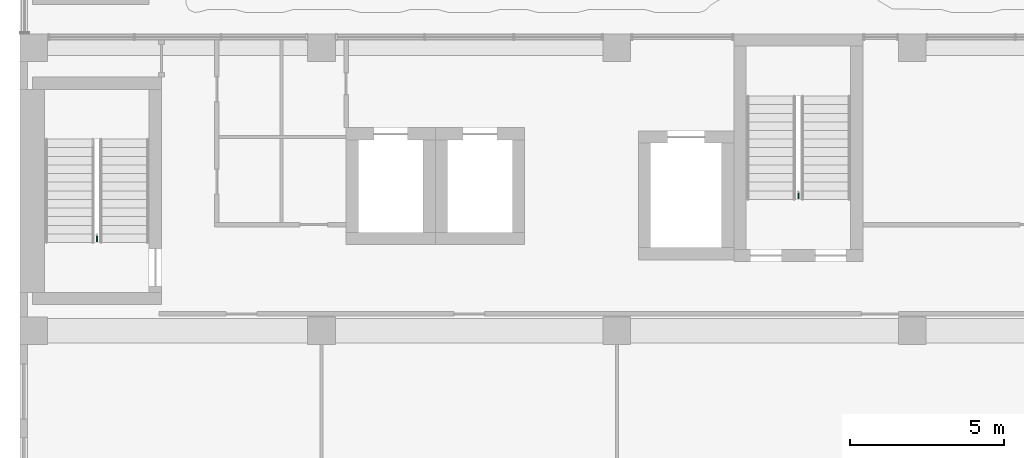
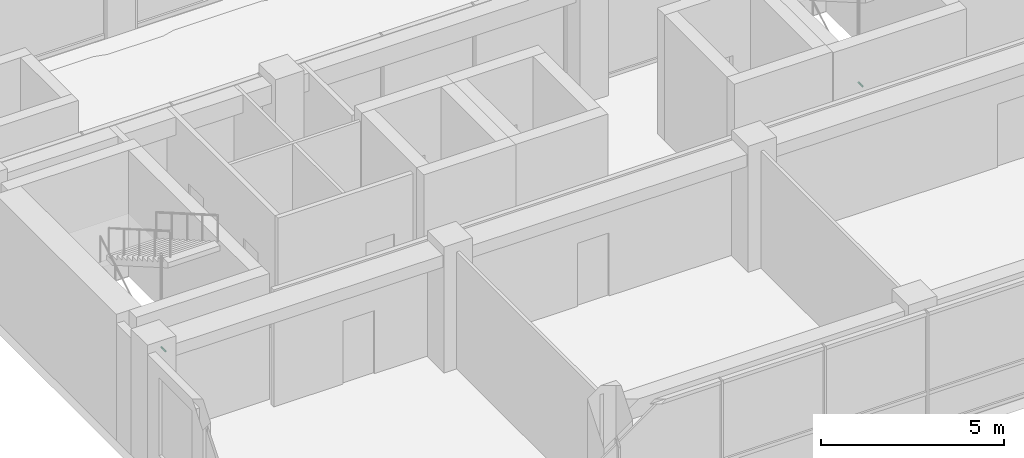
# One storey, part 71 of 72: 2 pipe fittings.
"""IFC4 building model written with IfcOpenShell, lengths in metres."""

import ifcopenshell
import ifcopenshell.guid

model = None  # the IFC model being written
_history = None  # IfcOwnerHistory: only IFC2X3 demands one
_inside = {}  # id of a spatial element -> (the spatial element, [elements in it])
_under = {}  # id of a project, library or spatial element -> (it, [spatial elements below it])
_declared = {}  # id of a project -> (the project, [libraries it declares])
_typed = {}  # id of a type object -> (the type object, [elements of that type])
_made_of = {}  # id of a material, layer set ... -> (it, [elements and type objects made of it])


def new_model(schema):
    """Start an empty IFC model of exactly this schema.

    Asked for "IFC4X3", IfcOpenShell would pick the latest addendum, in which some entities
    have other attributes; the version numbers below select the first issue.
    IFC2X3 requires an IfcOwnerHistory on every rooted entity: one is made here for all.
    """
    global model, _history
    if schema == "IFC4X3":
        model = ifcopenshell.file(schema_version=(4, 3, 0, 0))
    else:
        model = ifcopenshell.file(schema=schema)
    _inside.clear()
    _under.clear()
    _declared.clear()
    _typed.clear()
    _made_of.clear()
    _history = None
    if model.schema == "IFC2X3":
        org = make("IfcOrganization", Name="unknown")
        user = make(
            "IfcPersonAndOrganization",
            ThePerson=make("IfcPerson", FamilyName="unknown"),
            TheOrganization=org,
        )
        app = make(
            "IfcApplication",
            ApplicationDeveloper=org,
            Version="unknown",
            ApplicationFullName="unknown",
            ApplicationIdentifier="unknown",
        )
        _history = make(
            "IfcOwnerHistory",
            OwningUser=user,
            OwningApplication=app,
            ChangeAction="ADDED",
            CreationDate=0,
        )
    return model


def make(cls, **values):
    """One entity of the class cls with the attributes given. An attribute that is None is left unset."""
    return model.create_entity(
        cls, **{name: value for name, value in values.items() if value is not None}
    )


def rooted(cls, **values):
    """An entity with a GlobalId (a new one), such as an element, a storey or a relation."""
    return make(cls, GlobalId=ifcopenshell.guid.new(), OwnerHistory=_history, **values)


def si_unit(unit_type, name, prefix=None):
    """IfcSIUnit, for example si_unit("LENGTHUNIT", "METRE", prefix="MILLI")."""
    return make("IfcSIUnit", UnitType=unit_type, Prefix=prefix, Name=name)


def assignment(units):
    """IfcUnitAssignment: the units of a project."""
    return None if units is None else make("IfcUnitAssignment", Units=units)


def point(xyz):
    """IfcCartesianPoint."""
    return None if xyz is None else make("IfcCartesianPoint", Coordinates=xyz)


def direction(xyz):
    """IfcDirection."""
    return None if xyz is None else make("IfcDirection", DirectionRatios=xyz)


def frame(location, z_axis=None, x_axis=None):
    """IfcAxis2Placement3D, a coordinate frame: its origin and axes. An axis left out is left unset."""
    return make(
        "IfcAxis2Placement3D",
        Location=point(location),
        Axis=direction(z_axis),
        RefDirection=direction(x_axis),
    )


def frame_2d(location, x_axis=None):
    """IfcAxis2Placement2D, a coordinate frame in the plane: its origin and x axis."""
    return make(
        "IfcAxis2Placement2D", Location=point(location), RefDirection=direction(x_axis)
    )


def origin():
    """The frame at (0, 0, 0) with its axes left unset."""
    return frame((0.0, 0.0, 0.0))


def origin_2d():
    """The frame at (0, 0) in the plane with its x axis left unset."""
    return frame_2d((0.0, 0.0))


def place(relative_to, where):
    """IfcLocalPlacement: puts the frame where relative to a parent placement (None: the world)."""
    return make(
        "IfcLocalPlacement", PlacementRelTo=relative_to, RelativePlacement=where
    )


def context(
    kind, dimensions, precision=None, world=None, true_north=None, identifier=None
):
    """IfcGeometricRepresentationContext, for example the 3D "Model" context."""
    return make(
        "IfcGeometricRepresentationContext",
        ContextIdentifier=identifier,
        ContextType=kind,
        CoordinateSpaceDimension=dimensions,
        Precision=precision,
        WorldCoordinateSystem=world,
        TrueNorth=true_north,
    )


def subcontext(parent, identifier, kind, view, scale=None):
    """IfcGeometricRepresentationSubContext, for example "Body" below "Model"."""
    return make(
        "IfcGeometricRepresentationSubContext",
        ContextIdentifier=identifier,
        ContextType=kind,
        ParentContext=parent,
        TargetScale=scale,
        TargetView=view,
    )


def project(units=None, contexts=None):
    """IfcProject with its units and contexts."""
    return rooted(
        "IfcProject",
        Name="project",
        RepresentationContexts=contexts,
        UnitsInContext=assignment(units),
    )


def spatial(cls, under=None, at=None, **own):
    """A site, building, storey or space (cls), placed at a placement, below another one or the project."""
    s = rooted(cls, ObjectPlacement=at, **own)
    if under is not None:
        _under.setdefault(under.id(), (under, []))[1].append(s)
    return s


def profile(cls, at=None, kind="AREA", **sizes):
    """A parametric profile (cls). Its sizes go by their IFC names, for example OverallWidth=200.0."""
    return make(cls, ProfileType=kind, Position=at, **sizes)


def circle(**sizes):
    """IfcCircleProfileDef."""
    return profile("IfcCircleProfileDef", **sizes)


def extrude(swept, where, along, depth):
    """IfcExtrudedAreaSolid: the profile swept, set in the frame where, extruded along a direction by depth."""
    return make(
        "IfcExtrudedAreaSolid",
        SweptArea=swept,
        Position=where,
        ExtrudedDirection=direction(along),
        Depth=depth,
    )


def shape(context_of_items, identifier, shape_type, items):
    """IfcShapeRepresentation: the items that make up one representation, for example the "Body"."""
    return make(
        "IfcShapeRepresentation",
        ContextOfItems=context_of_items,
        RepresentationIdentifier=identifier,
        RepresentationType=shape_type,
        Items=items,
    )


def made_of(thing, what):
    """Note that an element or type object is made of a material, layer set ...; save() writes the relation."""
    if what is not None:
        _made_of.setdefault(what.id(), (what, []))[1].append(thing)
    return thing


def element(
    cls,
    number,
    at=None,
    inside=None,
    cuts=None,
    type_object=None,
    material=None,
    context=None,
    identifier="Body",
    shape_type=None,
    held_by="IfcProductDefinitionShape",
    body=None,
    shapes=None,
    **own,
):
    """One element of the class cls, such as IfcWall. Its Tag is "e" and its number.

    at: its placement. inside: the storey or other place that contains it. cuts: it is an
    opening in that element (IfcRelVoidsElement). A single representation is given by context,
    identifier, shape_type and body (its items); several are given by shapes. held_by: the class
    of the entity that holds the representations. save() writes the other relations.
    """
    e = rooted(cls, Tag="e%d" % number, ObjectPlacement=at, **own)
    if body is not None:
        shapes = [shape(context, identifier, shape_type, body)]
    if shapes is not None:
        e.Representation = make(held_by, Representations=shapes)
    if inside is not None:
        _inside.setdefault(inside.id(), (inside, []))[1].append(e)
    if cuts is not None:
        rooted(
            "IfcRelVoidsElement", RelatingBuildingElement=cuts, RelatedOpeningElement=e
        )
    if type_object is not None:
        _typed.setdefault(type_object.id(), (type_object, []))[1].append(e)
    return made_of(e, material)


def aggregate(whole, parts):
    """IfcRelAggregates: a whole, such as a stair, and the parts it consists of."""
    return rooted("IfcRelAggregates", RelatingObject=whole, RelatedObjects=parts)


def save(model, path):
    """Write the relations noted so far, then the file.

    IfcRelAggregates (storeys below a building ...), IfcRelContainedInSpatialStructure (elements
    in a storey), IfcRelDefinesByType, IfcRelAssociatesMaterial and IfcRelDeclares: one each for
    every whole, place, type object, material and project.
    """
    for whole, parts in _under.values():
        aggregate(whole, parts)
    for where, things in _inside.values():
        rooted(
            "IfcRelContainedInSpatialStructure",
            RelatedElements=things,
            RelatingStructure=where,
        )
    for kind, things in _typed.values():
        rooted("IfcRelDefinesByType", RelatedObjects=things, RelatingType=kind)
    for what, things in _made_of.values():
        rooted("IfcRelAssociatesMaterial", RelatedObjects=things, RelatingMaterial=what)
    for by, libraries in _declared.values():
        rooted("IfcRelDeclares", RelatingContext=by, RelatedDefinitions=libraries)
    model.write(path)


model = new_model("IFC4")

# Units and contexts
model_context = context("Model", 3, precision=1e-05, world=origin(), true_north=direction((0.0, 1.0)))
body_context = subcontext(model_context, "Body", "Model", "MODEL_VIEW")
ifc_project = project(units=[si_unit("LENGTHUNIT", "METRE"), si_unit("AREAUNIT", "SQUARE_METRE"), si_unit("VOLUMEUNIT", "CUBIC_METRE"), si_unit("PLANEANGLEUNIT", "RADIAN"), si_unit("MASSUNIT", "GRAM", prefix="KILO")], contexts=[model_context])

# Site, building, storey
site_placement = place(None, origin())
site = spatial("IfcSite", under=ifc_project, at=site_placement, CompositionType="ELEMENT")
building_placement = place(site_placement, origin())
building = spatial("IfcBuilding", under=site, at=building_placement, Name="Nzadi Deep Aquarium and Research Tower", CompositionType="ELEMENT")
storey_placement = place(building_placement, frame((0.0, 0.0, 31.89990234375)))
storey = spatial("IfcBuildingStorey", under=building, at=storey_placement, Name="L05", CompositionType="ELEMENT", Elevation=31.89990234375)

# Pipe fittings
for number, where, z_axis, x_axis, name in (
    (1, (2.300048828125, 12.320068359375, 1.10009765625), (0.0, -1.0, 0.0), (1.0, 0.0, 0.0), "Dry riser outlet ST-Z1-SW L05"),
    (2, (25.10009765625, 13.719970703125, 1.10009765625), (0.0, -1.0, 0.0), (1.0, 0.0, 0.0), "Dry riser outlet ST-Z1-SE L05"),
):
    element("IfcPipeFitting", number, at=place(storey_placement, frame(where, z_axis=z_axis, x_axis=x_axis)), inside=storey, Name=name, PredefinedType="EXIT", context=body_context, shape_type="SweptSolid", body=[
        extrude(circle(Radius=0.0224609375, at=origin_2d()), origin(), (0.0, 0.0, 1.0), 0.22998046875),
    ])

save(model, "model.ifc")
